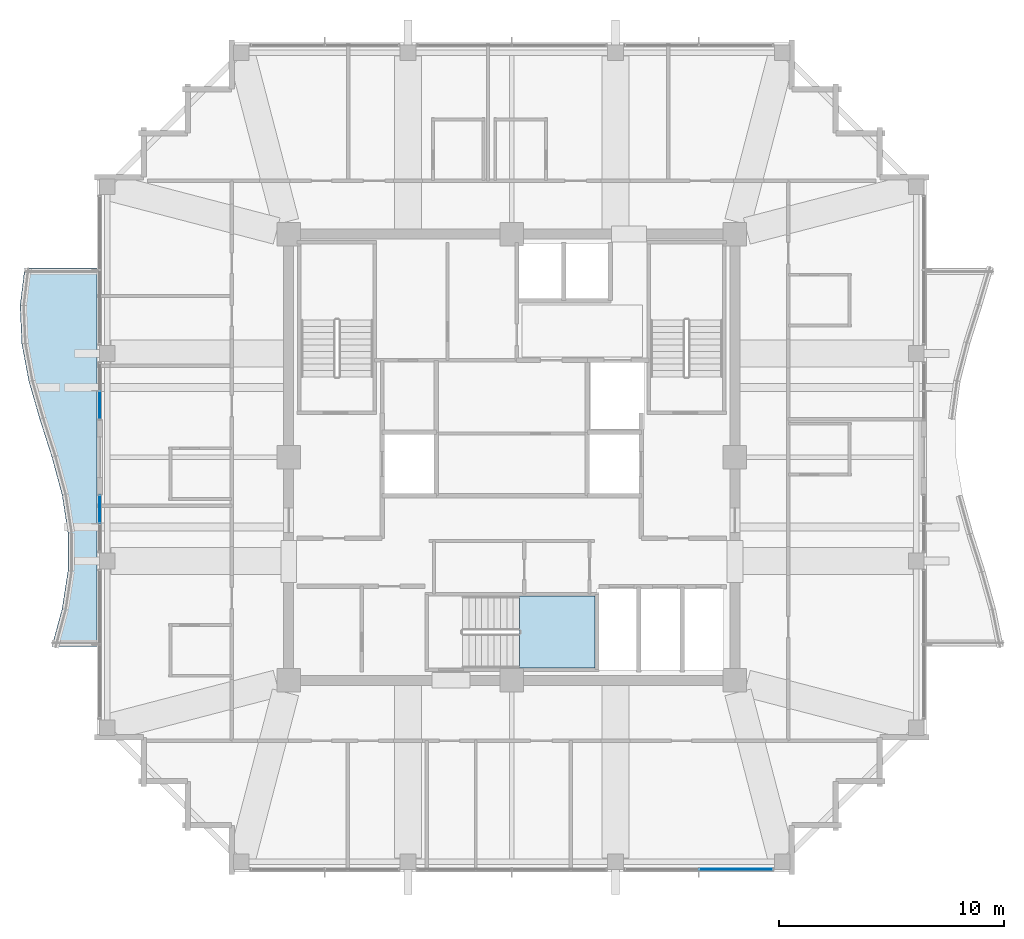
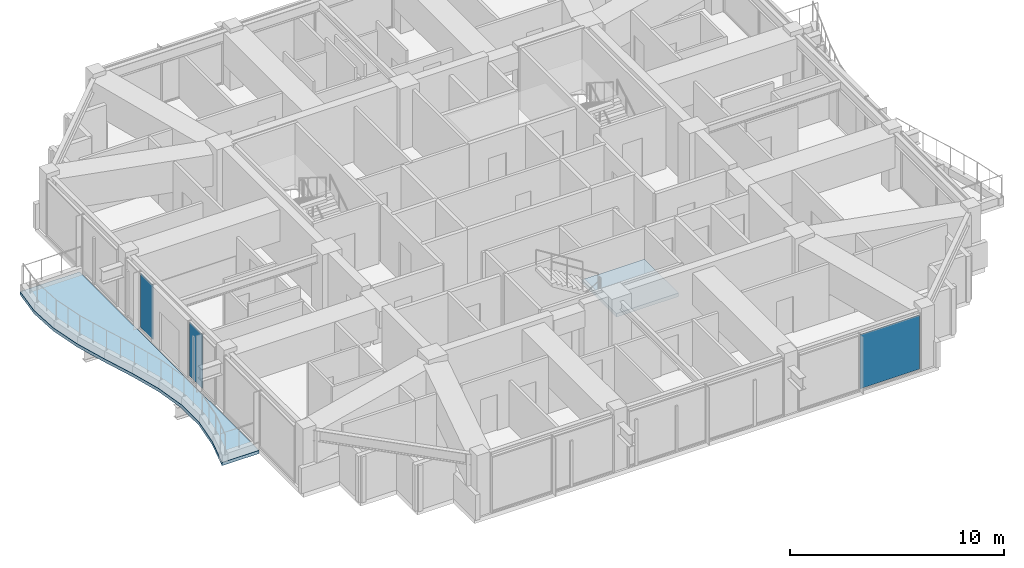
# One storey, part 20 of 31: 3 plates, 2 slabs, 4 elements without a shape of their own.
"""IFC4 building model written with IfcOpenShell, lengths in metres."""

from ifc_helpers import new_model, si_unit, direction, frame, origin, origin_2d, place, context, subcontext, project, spatial, polyline, rectangle, outline, extrude, material, layer, layer_set, type_object, element, aggregate, save


model = new_model("IFC4")

# Units and contexts
model_context = context("Model", 3, precision=1e-05, world=origin(), true_north=direction((0.0, 1.0)))
body_context = subcontext(model_context, "Body", "Model", "MODEL_VIEW")
ifc_project = project(units=[si_unit("LENGTHUNIT", "METRE"), si_unit("AREAUNIT", "SQUARE_METRE"), si_unit("VOLUMEUNIT", "CUBIC_METRE"), si_unit("PLANEANGLEUNIT", "RADIAN"), si_unit("MASSUNIT", "GRAM", prefix="KILO")], contexts=[model_context])

# Site, building, storey
site_placement = place(None, origin())
site = spatial("IfcSite", under=ifc_project, at=site_placement, CompositionType="ELEMENT")
building_placement = place(site_placement, origin())
building = spatial("IfcBuilding", under=site, at=building_placement, Name="Kolvaren Belvedere", CompositionType="ELEMENT")
storey_placement = place(building_placement, frame((0.0, 0.0, 237.39990234375)))
storey = spatial("IfcBuildingStorey", under=building, at=storey_placement, Name="L69", CompositionType="ELEMENT", Elevation=237.39990234375)

# Curtain wall, plate
ifc_material_1 = material(Name="Anodised pale-metal aluminium AA 6063-T6", Category="aluminium")
curtain_wall_type = type_object("IfcCurtainWallType", Name="CW-Z5-HIGH", PredefinedType="NOTDEFINED", material=ifc_material_1)
curtain_wall_1_placement = place(storey_placement, origin())
curtain_wall_1 = element("IfcCurtainWall", 1, at=curtain_wall_1_placement, inside=storey, type_object=curtain_wall_type, Name="L69 Unitised Curtain Wall FCW-L69-S-B1", PredefinedType="NOTDEFINED")
ifc_material_2 = material(Name="Low-iron triple insulated glass", Category="glass")
ifc_layer_1 = layer(ifc_material_2, 0.028076171875)
ifc_layer_set_1 = layer_set([ifc_layer_1], Name="Low-iron triple insulated glass")
plate_type = type_object("IfcPlateType", Name="CW-PNL-VIS28", PredefinedType="CURTAIN_PANEL", material=ifc_layer_set_1)
plate_1_placement = place(storey_placement, frame((9.947509765625, -18.280029296875, 0.080078125), z_axis=(0.0, 0.0, 1.0), x_axis=(-1.0, 0.0, 0.0)))
plate_1 = element("IfcPlate", 2, at=plate_1_placement, type_object=plate_type, Name="FCW-L69-S-B1 Vision Glazing Panel 1", PredefinedType="CURTAIN_PANEL", context=body_context, shape_type="SweptSolid", body=[
    extrude(rectangle(XDim=3.215087890625, YDim=0.028076171875, at=origin_2d()), origin(), (0.0, 0.0, 1.0), 3.090087890625),
])
aggregate(curtain_wall_1, [plate_1])

curtain_wall_2_placement = place(storey_placement, origin())
curtain_wall_2 = element("IfcCurtainWall", 3, at=curtain_wall_2_placement, inside=storey, type_object=curtain_wall_type, Name="L69 Unitised Curtain Wall FCW-L69-W1-B2", PredefinedType="NOTDEFINED")
plate_2_placement = place(storey_placement, frame((-18.280029296875, -2.30859375, 0.080078125), z_axis=(0.0, 0.0, 1.0), x_axis=(0.0, 1.0, 0.0)))
plate_2 = element("IfcPlate", 4, at=plate_2_placement, type_object=plate_type, Name="FCW-L69-W1-B2 Vision Glazing Panel 2", PredefinedType="CURTAIN_PANEL", context=body_context, shape_type="SweptSolid", body=[
    extrude(rectangle(XDim=1.177490234375, YDim=0.028076171875, at=origin_2d()), origin(), (0.0, 0.0, 1.0), 3.090087890625),
])
aggregate(curtain_wall_2, [plate_2])

curtain_wall_3_placement = place(storey_placement, origin())
curtain_wall_3 = element("IfcCurtainWall", 5, at=curtain_wall_3_placement, inside=storey, type_object=curtain_wall_type, Name="L69 Unitised Curtain Wall FCW-L69-W2-B1", PredefinedType="NOTDEFINED")
plate_3_placement = place(storey_placement, frame((-18.280029296875, 2.30859375, 0.080078125), z_axis=(0.0, 0.0, 1.0), x_axis=(0.0, 1.0, 0.0)))
plate_3 = element("IfcPlate", 6, at=plate_3_placement, type_object=plate_type, Name="FCW-L69-W2-B1 Vision Glazing Panel 1", PredefinedType="CURTAIN_PANEL", context=body_context, shape_type="SweptSolid", body=[
    extrude(rectangle(XDim=1.177490234375, YDim=0.028076171875, at=origin_2d()), origin(), (0.0, 0.0, 1.0), 3.090087890625),
])
aggregate(curtain_wall_3, [plate_3])

# Slab
ifc_material_3 = material(Name="Concrete C50/60", Category="concrete")
ifc_layer_2 = layer(ifc_material_3, 0.179931640625)
ifc_layer_set_2 = layer_set([ifc_layer_2], Name="Concrete C50/60")
slab_type_1 = type_object("IfcSlabType", Name="SL-BAL-180", PredefinedType="FLOOR", material=ifc_layer_set_2)
slab_1_placement = place(storey_placement, frame((0.0, 0.0, -0.25)))
element("IfcSlab", 7, at=slab_1_placement, inside=storey, type_object=slab_type_1, Name="L69 Planted Balcony BAL-W", PredefinedType="FLOOR", context=body_context, shape_type="SweptSolid", body=[
    extrude(outline(polyline([(-21.61376953125, 8.39990234375), (-21.820068359375, 6.719970703125), (-21.744140625, 5.0400390625), (-21.428466796875, 3.360107421875), (-20.9423828125, 1.679931640625), (-20.40625, 0.0), (-19.95263671875, -1.679931640625), (-19.69384765625, -3.360107421875), (-19.69384765625, -5.0400390625), (-19.95263671875, -6.719970703125), (-20.40625, -8.39990234375), (-18.39990234375, -8.39990234375), (-18.39990234375, -6.719970703125), (-18.39990234375, -5.0400390625), (-18.39990234375, -3.360107421875), (-18.39990234375, -1.679931640625), (-18.39990234375, 0.0), (-18.39990234375, 1.679931640625), (-18.39990234375, 3.360107421875), (-18.39990234375, 5.0400390625), (-18.39990234375, 6.719970703125), (-18.39990234375, 8.39990234375), (-21.61376953125, 8.39990234375)])), origin(), (0.0, 0.0, 1.0), 0.18017578125),
])

# Stair, slab
ifc_material_4 = material(Name="Concrete C50/60", Category="concrete")
stair_type = type_object("IfcStairType", Name="ST-CORE-1520", PredefinedType="HALF_TURN_STAIR", material=ifc_material_4)
stair_placement = place(storey_placement, origin())
stair = element("IfcStair", 8, at=stair_placement, inside=storey, type_object=stair_type, Name="L69 Protected Exit Stair ST-3", PredefinedType="HALF_TURN_STAIR")
ifc_material_5 = material(Name="Concrete C50/60", Category="concrete")
ifc_layer_3 = layer(ifc_material_5, 0.260009765625)
ifc_layer_set_3 = layer_set([ifc_layer_3], Name="Concrete C50/60")
slab_type_2 = type_object("IfcSlabType", Name="SL-LAND-260", PredefinedType="LANDING", material=ifc_layer_set_3)
slab_2_placement = place(storey_placement, frame((0.0, 0.0, 1.550048828125)))
slab_2 = element("IfcSlab", 9, at=slab_2_placement, type_object=slab_type_2, Name="ST-3 landing 1", PredefinedType="LANDING", context=body_context, shape_type="SweptSolid", body=[
    extrude(outline(polyline([(0.340087890625, -9.35009765625), (3.699951171875, -9.35009765625), (3.699951171875, -6.159912109375), (0.340087890625, -6.159912109375), (0.340087890625, -9.35009765625)])), origin(), (0.0, 0.0, 1.0), 0.199951171875),
])
aggregate(stair, [slab_2])

save(model, "model.ifc")
